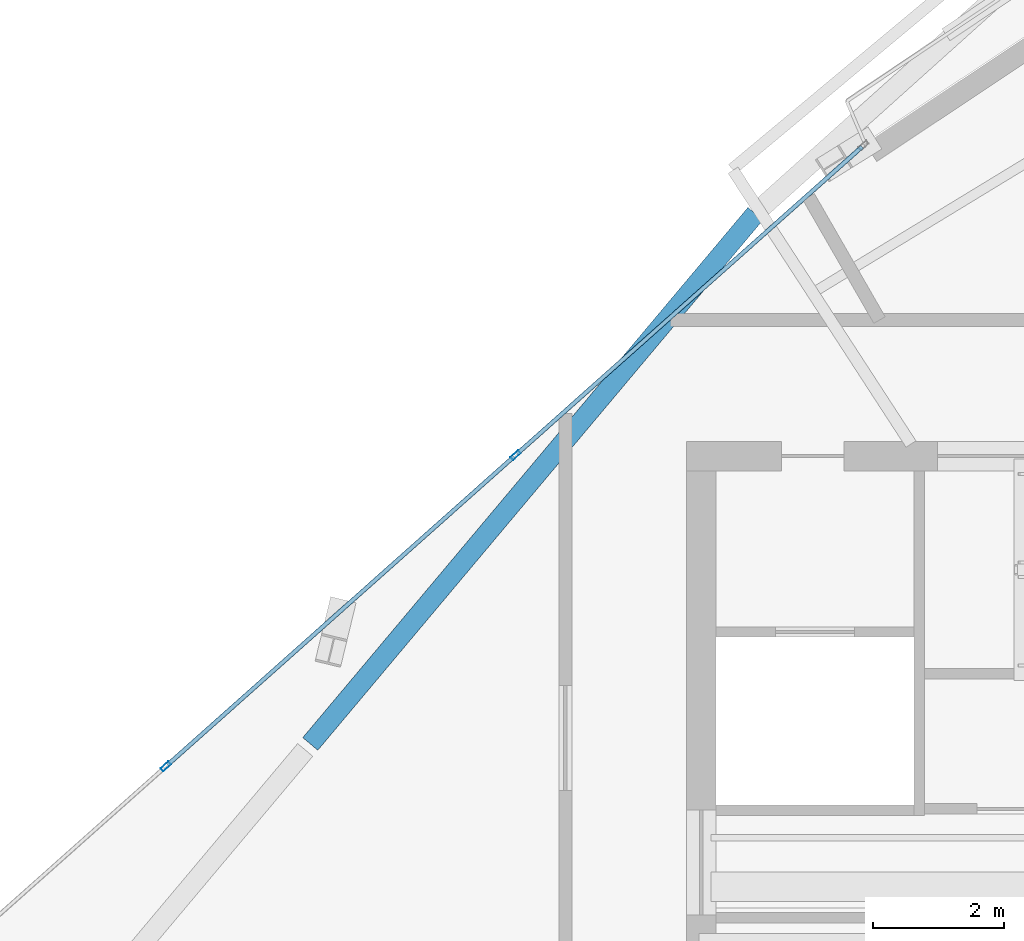
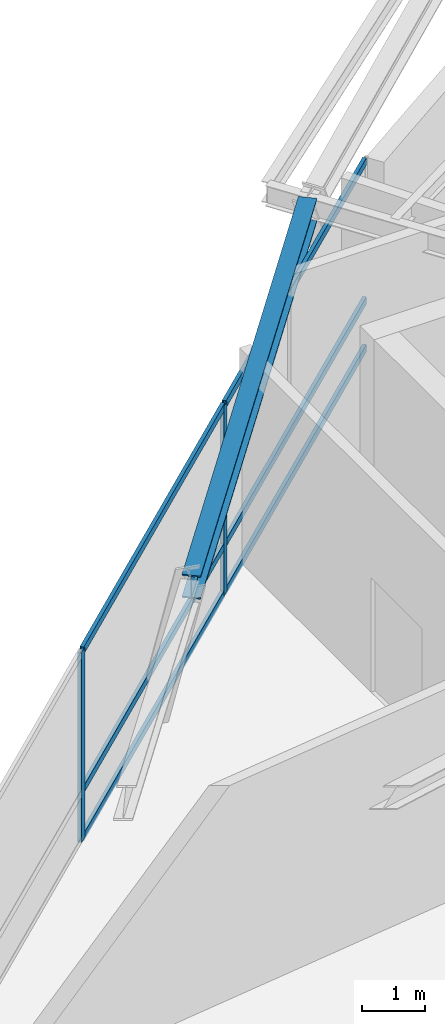
# One storey, part 8 of 22: 8 members, 1 beam, 1 element without a shape of its own.
"""IFC4 building model written with IfcOpenShell, lengths in metres."""

from ifc_helpers import new_model, si_unit, direction, frame, origin, origin_2d, place, context, subcontext, project, spatial, hollow_rectangle, i_section, extrude, source, transform, mapped, material, material_profile, profile_set, type_object, element, aggregate, save


model = new_model("IFC4")

# Units and contexts
model_context = context("Model", 3, precision=1e-05, world=origin(), true_north=direction((0.0, 1.0)))
body_context = subcontext(model_context, "Body", "Model", "MODEL_VIEW")
ifc_project = project(units=[si_unit("LENGTHUNIT", "METRE"), si_unit("AREAUNIT", "SQUARE_METRE"), si_unit("VOLUMEUNIT", "CUBIC_METRE"), si_unit("PLANEANGLEUNIT", "RADIAN"), si_unit("MASSUNIT", "GRAM", prefix="KILO")], contexts=[model_context])

# Site, building, storey
site_placement = place(None, origin())
site = spatial("IfcSite", under=ifc_project, at=site_placement, CompositionType="ELEMENT")
building_placement = place(site_placement, origin())
building = spatial("IfcBuilding", under=site, at=building_placement, Name="Olszyna Solenne Hotel", CompositionType="ELEMENT")
storey_placement = place(building_placement, frame((0.0, 0.0, 286.10009765625)))
storey = spatial("IfcBuildingStorey", under=building, at=storey_placement, Name="L76", CompositionType="ELEMENT", Elevation=286.10009765625)

# Beam
ifc_material_1 = material(Name="Steel S355J2", Category="steel")
ifc_material_profile_1 = material_profile(ifc_material_1, i_section(OverallWidth=0.300048828125, OverallDepth=0.449951171875, WebThickness=0.013916015625, FlangeThickness=0.02587890625, at=origin_2d()), Name="HEB 450", Category="load-bearing")
ifc_profile_set_1 = profile_set([ifc_material_profile_1], Name="Steel S355J2")
beam_type = type_object("IfcBeamType", Name="BM-S4", PredefinedType="BEAM", material=ifc_profile_set_1)
shared_shape_1 = source(origin(), body_context, "Body", "SweptSolid", [
    extrude(i_section(OverallWidth=0.300048828125, OverallDepth=0.449951171875, WebThickness=0.013916015625, FlangeThickness=0.02587890625, at=origin_2d()), origin(), (0.0, 0.0, 1.0), 10.564208984375),
])
beam_placement = place(storey_placement, frame((30.701416015625, 37.622314453125, 3.89501953125), z_axis=(-0.643057665881, -0.765817757924, 0.0), x_axis=(0.765817757924, -0.643057665881, 0.0)))
element("IfcBeam", 1, at=beam_placement, inside=storey, type_object=beam_type, Name="Perimeter spandrel beam BM-S4 B-L76-2226", PredefinedType="BEAM", context=body_context, shape_type="MappedRepresentation", body=[
    mapped(shared_shape_1, transform((0.0, 0.0, 0.0), x_axis=(1.0, 0.0, 0.0), y_axis=(0.0, 1.0, 0.0), z_axis=(0.0, 0.0, 1.0), scale=1.0)),
])

# Curtain wall, members
ifc_material_2 = material(Name="Anodised bronze aluminium", Category="aluminium")
curtain_wall_type = type_object("IfcCurtainWallType", Name="CW-SYS-7", PredefinedType="NOTDEFINED", material=ifc_material_2)
curtain_wall_placement = place(storey_placement, origin())
curtain_wall = element("IfcCurtainWall", 2, at=curtain_wall_placement, inside=storey, type_object=curtain_wall_type, Name="Unitised curtain wall CW-SYS-7 CW-L76-02", PredefinedType="NOTDEFINED")
ifc_material_profile_2 = material_profile(ifc_material_2, hollow_rectangle(XDim=0.06494140625, YDim=0.159912109375, WallThickness=0.00390625, at=origin_2d()), Name="MULL 160x65x4", Category="load-bearing")
ifc_profile_set_2 = profile_set([ifc_material_profile_2], Name="Anodised bronze aluminium")
member_type_1 = type_object("IfcMemberType", Name="CW-M3", PredefinedType="MULLION", material=ifc_profile_set_2)
shared_shape_2 = source(origin(), body_context, "Body", "SweptSolid", [
    extrude(hollow_rectangle(XDim=0.06494140625, YDim=0.159912109375, WallThickness=0.00390625, at=origin_2d()), origin(), (0.0, 0.0, 1.0), 3.661865234375),
])
member_1_placement = place(storey_placement, frame((21.704833984375, 29.189697265625, 0.0), z_axis=(0.0, 0.0, 1.0), x_axis=(-0.6648066098, 0.747015509589, 0.0)))
member_1 = element("IfcMember", 3, at=member_1_placement, type_object=member_type_1, Name="Curtain-wall mullion CW-M3 CM-L76-02-02", PredefinedType="MULLION", context=body_context, shape_type="MappedRepresentation", body=[
    mapped(shared_shape_2, transform((0.0, 0.0, 0.0), x_axis=(1.0, 0.0, 0.0), y_axis=(0.0, 1.0, 0.0), z_axis=(0.0, 0.0, 1.0), scale=1.0)),
])
member_2_placement = place(storey_placement, frame((27.04052734375, 33.938232421875, 0.0), z_axis=(0.0, 0.0, 1.0), x_axis=(-0.6648066098, 0.747015509589, 0.0)))
member_2 = element("IfcMember", 4, at=member_2_placement, type_object=member_type_1, Name="Curtain-wall mullion CW-M3 CM-L76-02-03", PredefinedType="MULLION", context=body_context, shape_type="MappedRepresentation", body=[
    mapped(shared_shape_2, transform((0.0, 0.0, 0.0), x_axis=(1.0, 0.0, 0.0), y_axis=(0.0, 1.0, 0.0), z_axis=(0.0, 0.0, 1.0), scale=1.0)),
])
ifc_material_profile_3 = material_profile(ifc_material_2, hollow_rectangle(XDim=0.06494140625, YDim=0.139892578125, WallThickness=0.00390625, at=origin_2d()), Name="TRAN 140x65x4", Category="load-bearing")
ifc_profile_set_3 = profile_set([ifc_material_profile_3], Name="Anodised bronze aluminium")
member_type_2 = type_object("IfcMemberType", Name="CW-T2", PredefinedType="USERDEFINED", material=ifc_profile_set_3)
shared_shape_3 = source(origin(), body_context, "Body", "SweptSolid", [
    extrude(hollow_rectangle(XDim=0.06494140625, YDim=0.139892578125, WallThickness=0.00390625, at=origin_2d()), origin(), (0.0, 0.0, 1.0), 7.04541015625),
])
member_3_placement = place(storey_placement, frame((27.064697265625, 33.9599609375, 0.032470703125), z_axis=(0.747009601299, 0.66481324864, 0.0), x_axis=(-0.66481324864, 0.747009601299, 0.0)))
member_3 = element("IfcMember", 5, at=member_3_placement, type_object=member_type_2, Name="Curtain-wall transom CW-T2 CT-L76-02-07", ObjectType="TRANSOM", PredefinedType="USERDEFINED", context=body_context, shape_type="MappedRepresentation", body=[
    mapped(shared_shape_3, transform((0.0, 0.0, 0.0), x_axis=(1.0, 0.0, 0.0), y_axis=(0.0, 1.0, 0.0), z_axis=(0.0, 0.0, 1.0), scale=1.0)),
])
member_4_placement = place(storey_placement, frame((27.064697265625, 33.9599609375, 0.949951171875), z_axis=(0.747009601299, 0.66481324864, 0.0), x_axis=(-0.66481324864, 0.747009601299, 0.0)))
member_4 = element("IfcMember", 6, at=member_4_placement, type_object=member_type_2, Name="Curtain-wall transom CW-T2 CT-L76-02-08", ObjectType="TRANSOM", PredefinedType="USERDEFINED", context=body_context, shape_type="MappedRepresentation", body=[
    mapped(shared_shape_3, transform((0.0, 0.0, 0.0), x_axis=(1.0, 0.0, 0.0), y_axis=(0.0, 1.0, 0.0), z_axis=(0.0, 0.0, 1.0), scale=1.0)),
])
member_5_placement = place(storey_placement, frame((27.064697265625, 33.9599609375, 3.62939453125), z_axis=(0.747009601299, 0.66481324864, 0.0), x_axis=(-0.66481324864, 0.747009601299, 0.0)))
member_5 = element("IfcMember", 7, at=member_5_placement, type_object=member_type_2, Name="Curtain-wall transom CW-T2 CT-L76-02-09", ObjectType="TRANSOM", PredefinedType="USERDEFINED", context=body_context, shape_type="MappedRepresentation", body=[
    mapped(shared_shape_3, transform((0.0, 0.0, 0.0), x_axis=(1.0, 0.0, 0.0), y_axis=(0.0, 1.0, 0.0), z_axis=(0.0, 0.0, 1.0), scale=1.0)),
])
shared_shape_4 = source(origin(), body_context, "Body", "SweptSolid", [
    extrude(hollow_rectangle(XDim=0.06494140625, YDim=0.139892578125, WallThickness=0.00390625, at=origin_2d()), origin(), (0.0, 0.0, 1.0), 7.077880859375),
])
member_6_placement = place(storey_placement, frame((21.72900390625, 29.21142578125, 0.032470703125), z_axis=(0.747026673292, 0.664794065399, 0.0), x_axis=(-0.664794065399, 0.747026673292, 0.0)))
member_6 = element("IfcMember", 8, at=member_6_placement, type_object=member_type_2, Name="Curtain-wall transom CW-T2 CT-L76-02-04", ObjectType="TRANSOM", PredefinedType="USERDEFINED", context=body_context, shape_type="MappedRepresentation", body=[
    mapped(shared_shape_4, transform((0.0, 0.0, 0.0), x_axis=(1.0, 0.0, 0.0), y_axis=(0.0, 1.0, 0.0), z_axis=(0.0, 0.0, 1.0), scale=1.0)),
])
member_7_placement = place(storey_placement, frame((21.72900390625, 29.21142578125, 0.949951171875), z_axis=(0.747026673292, 0.664794065399, 0.0), x_axis=(-0.664794065399, 0.747026673292, 0.0)))
member_7 = element("IfcMember", 9, at=member_7_placement, type_object=member_type_2, Name="Curtain-wall transom CW-T2 CT-L76-02-05", ObjectType="TRANSOM", PredefinedType="USERDEFINED", context=body_context, shape_type="MappedRepresentation", body=[
    mapped(shared_shape_4, transform((0.0, 0.0, 0.0), x_axis=(1.0, 0.0, 0.0), y_axis=(0.0, 1.0, 0.0), z_axis=(0.0, 0.0, 1.0), scale=1.0)),
])
member_8_placement = place(storey_placement, frame((21.72900390625, 29.21142578125, 3.62939453125), z_axis=(0.747026673292, 0.664794065399, 0.0), x_axis=(-0.664794065399, 0.747026673292, 0.0)))
member_8 = element("IfcMember", 10, at=member_8_placement, type_object=member_type_2, Name="Curtain-wall transom CW-T2 CT-L76-02-06", ObjectType="TRANSOM", PredefinedType="USERDEFINED", context=body_context, shape_type="MappedRepresentation", body=[
    mapped(shared_shape_4, transform((0.0, 0.0, 0.0), x_axis=(1.0, 0.0, 0.0), y_axis=(0.0, 1.0, 0.0), z_axis=(0.0, 0.0, 1.0), scale=1.0)),
])
aggregate(curtain_wall, [member_1, member_2, member_6, member_7, member_8, member_3, member_4, member_5])

save(model, "model.ifc")
